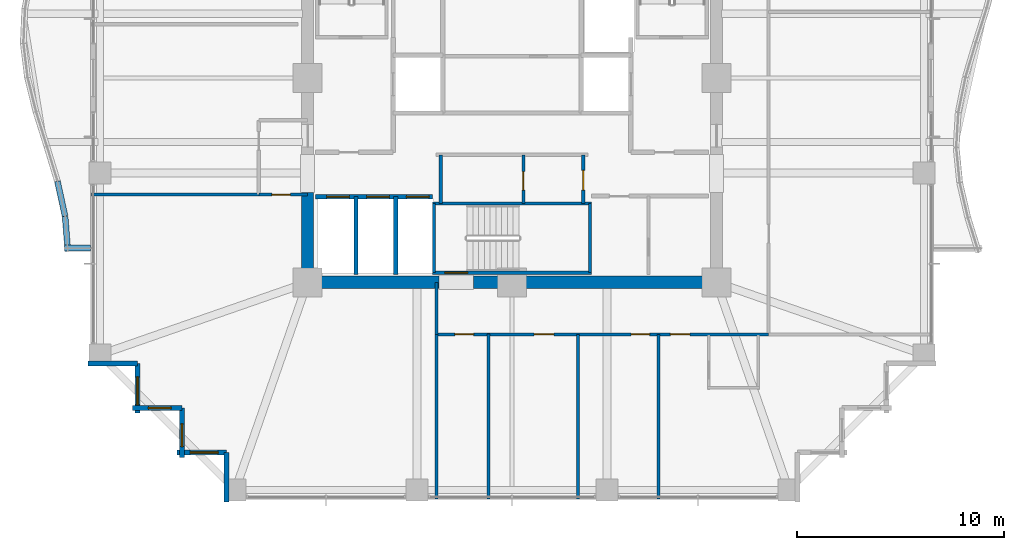
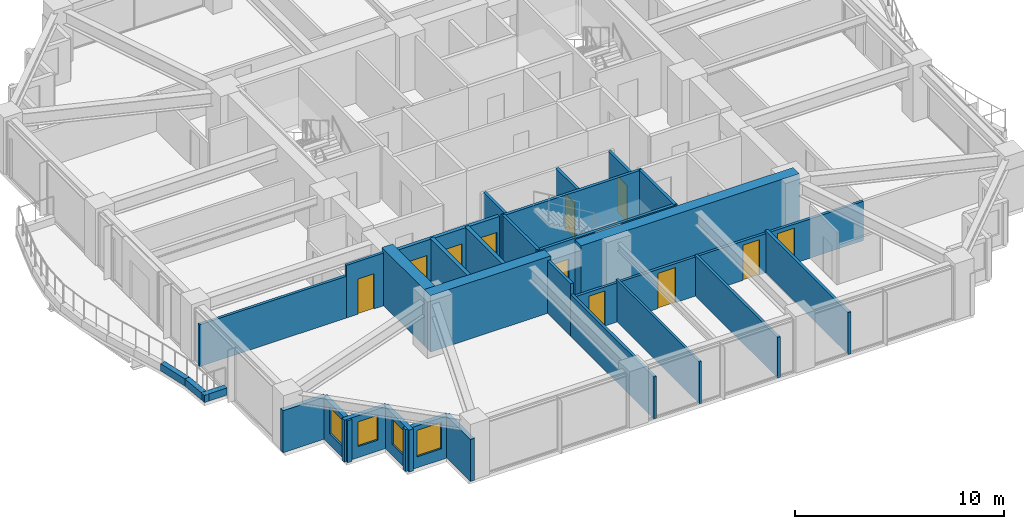
# One storey, part 30 of 36: 30 walls, 11 doors, 4 windows, 15 openings.
"""IFC4 building model written with IfcOpenShell, lengths in metres."""

from ifc_helpers import new_model, si_unit, direction, frame, frame_2d, origin, place, context, subcontext, project, spatial, rectangle, extrude, material, layer, layer_set, type_object, element, fill, save


model = new_model("IFC4")

# Units and contexts
model_context = context("Model", 3, precision=1e-05, world=origin(), true_north=direction((0.0, 1.0)))
body_context = subcontext(model_context, "Body", "Model", "MODEL_VIEW")
ifc_project = project(units=[si_unit("LENGTHUNIT", "METRE"), si_unit("AREAUNIT", "SQUARE_METRE"), si_unit("VOLUMEUNIT", "CUBIC_METRE"), si_unit("PLANEANGLEUNIT", "RADIAN"), si_unit("MASSUNIT", "GRAM", prefix="KILO")], contexts=[model_context])

# Site, building, storey
site_placement = place(None, origin())
site = spatial("IfcSite", under=ifc_project, at=site_placement, CompositionType="ELEMENT")
building_placement = place(site_placement, origin())
building = spatial("IfcBuilding", under=site, at=building_placement, Name="Kolvaren Belvedere", CompositionType="ELEMENT")
storey_placement = place(building_placement, frame((0.0, 0.0, 95.300048828125)))
storey = spatial("IfcBuildingStorey", under=building, at=storey_placement, Name="L27", CompositionType="ELEMENT", Elevation=95.300048828125)

# Walls
ifc_material_1 = material(Name="Concrete C60/75", Category="concrete")
ifc_layer_1 = layer(ifc_material_1, 0.60009765625)
ifc_layer_set_1 = layer_set([ifc_layer_1], Name="Concrete C60/75")
wall_type_1 = type_object("IfcWallType", Name="CW-CORE-600", PredefinedType="SHEAR", material=ifc_layer_set_1)
wall_1_placement = place(storey_placement, frame((10.199951171875, -9.89990234375, 0.0), z_axis=(0.0, 0.0, 1.0), x_axis=(-1.0, 0.0, 0.0)))
element("IfcWall", 1, at=wall_1_placement, inside=storey, type_object=wall_type_1, Name="L27 South Core Shear Wall 1", PredefinedType="SHEAR", context=body_context, shape_type="SweptSolid", body=[
    extrude(rectangle(XDim=12.06005859375, YDim=0.60009765625, at=frame_2d((6.030029296875, 0.0))), origin(), (0.0, 0.0, 1.0), 3.300048828125),
])
wall_2_placement = place(storey_placement, frame((-3.5400390625, -9.89990234375, 0.0), z_axis=(0.0, 0.0, 1.0), x_axis=(-1.0, 0.0, 0.0)))
element("IfcWall", 2, at=wall_2_placement, inside=storey, type_object=wall_type_1, Name="L27 South Core Shear Wall 2", PredefinedType="SHEAR", context=body_context, shape_type="SweptSolid", body=[
    extrude(rectangle(XDim=6.659912109375, YDim=0.60009765625, at=frame_2d((3.330078125, 0.0))), origin(), (0.0, 0.0, 1.0), 3.300048828125),
])
wall_3_placement = place(storey_placement, frame((-9.89990234375, -9.60009765625, 0.0), z_axis=(0.0, 0.0, 1.0), x_axis=(0.0, 1.0, 0.0)))
element("IfcWall", 3, at=wall_3_placement, inside=storey, type_object=wall_type_1, Name="L27 West Core Shear Wall 1", PredefinedType="SHEAR", context=body_context, shape_type="SweptSolid", body=[
    extrude(rectangle(XDim=4.050048828125, YDim=0.60009765625, at=frame_2d((2.02490234375, 0.0))), origin(), (0.0, 0.0, 1.0), 3.300048828125),
])

# Wall, opening, door
ifc_material_2 = material(Name="Concrete C50/60", Category="concrete")
ifc_layer_2 = layer(ifc_material_2, 0.159912109375)
ifc_layer_set_2 = layer_set([ifc_layer_2], Name="Concrete C50/60")
wall_type_2 = type_object("IfcWallType", Name="CW-STAIR-160", PredefinedType="SHEAR", material=ifc_layer_set_2)
wall_4_placement = place(storey_placement, frame((3.860107421875, -9.429931640625, 0.0), z_axis=(0.0, 0.0, 1.0), x_axis=(-1.0, 0.0, 0.0)))
wall_4 = element("IfcWall", 4, at=wall_4_placement, inside=storey, type_object=wall_type_2, Name="L27 Stair ST-3 South Shear Wall", PredefinedType="SHEAR", context=body_context, shape_type="SweptSolid", body=[
    extrude(rectangle(XDim=7.72021484375, YDim=0.159912109375, at=frame_2d((3.860107421875, 0.0))), origin(), (0.0, 0.0, 1.0), 3.300048828125),
])
opening_1_placement = place(wall_4_placement, frame((6.010009765625, 0.0, 0.0)))
opening_1 = element("IfcOpeningElement", 5, at=opening_1_placement, cuts=wall_4, Name="Opening D-FD90", PredefinedType="OPENING", context=body_context, shape_type="SweptSolid", body=[
    extrude(rectangle(XDim=1.10009765625, YDim=2.199951171875, at=frame_2d((0.550048828125, 1.10009765625))), frame((0.0, 0.08984375, 0.0), z_axis=(0.0, -1.0, 0.0), x_axis=(1.0, 0.0, 0.0)), (0.0, 0.0, 1.0), 0.179931640625),
])
ifc_material_3 = material(Name="Painted hollow stainless steel", Category="steel")
door_type_1 = type_object("IfcDoorType", Name="DR-FD90-1100", OperationType="NOTDEFINED", PredefinedType="DOOR", material=ifc_material_3)
door_1_placement = place(opening_1_placement, origin())
door_1 = element("IfcDoor", 6, at=door_1_placement, inside=storey, type_object=door_type_1, Name="L27 Stair ST-3 Exit Door", OperationType="SINGLE_SWING_RIGHT", OverallHeight=2.199951171875, OverallWidth=1.10009765625, PredefinedType="DOOR", context=body_context, shape_type="SweptSolid", body=[
    extrude(rectangle(XDim=1.10009765625, YDim=2.199951171875, at=frame_2d((0.550048828125, 1.10009765625))), frame((0.0, 0.02490234375, 0.0), z_axis=(0.0, -1.0, 0.0), x_axis=(1.0, 0.0, 0.0)), (0.0, 0.0, 1.0), 0.050048828125),
])
fill(opening_1, door_1)

# Walls
wall_5_placement = place(storey_placement, frame((-3.860107421875, -6.080078125, 0.0), z_axis=(0.0, 0.0, 1.0), x_axis=(1.0, 0.0, 0.0)))
element("IfcWall", 7, at=wall_5_placement, inside=storey, type_object=wall_type_2, Name="L27 Stair ST-3 North Shear Wall", PredefinedType="SHEAR", context=body_context, shape_type="SweptSolid", body=[
    extrude(rectangle(XDim=7.72021484375, YDim=0.159912109375, at=frame_2d((3.860107421875, 0.0))), origin(), (0.0, 0.0, 1.0), 3.300048828125),
])
for number, where, z_axis, x_axis, name in (
    (8, (-3.780029296875, -9.429931640625, 0.0), (0.0, 0.0, 1.0), (0.0, 1.0, 0.0), "L27 Stair ST-3 West Shear Wall"),
    (9, (3.780029296875, -9.429931640625, 0.0), (0.0, 0.0, 1.0), (0.0, 1.0, 0.0), "L27 Stair ST-3 East Shear Wall"),
):
    element("IfcWall", number, at=place(storey_placement, frame(where, z_axis=z_axis, x_axis=x_axis)), inside=storey, type_object=wall_type_2, Name=name, PredefinedType="SHEAR", context=body_context, shape_type="SweptSolid", body=[
        extrude(rectangle(XDim=3.349853515625, YDim=0.159912109375, at=frame_2d((1.6748046875, 0.0))), origin(), (0.0, 0.0, 1.0), 3.300048828125),
    ])

# Wall, openings, doors
ifc_material_4 = material(Name="Gypsum fire-rated partition assembly", Category="gypsum")
ifc_layer_3 = layer(ifc_material_4, 0.14990234375)
ifc_layer_set_3 = layer_set([ifc_layer_3], Name="Gypsum fire-rated partition assembly")
wall_type_3 = type_object("IfcWallType", Name="WL-CORR-150", PredefinedType="PARTITIONING", material=ifc_layer_set_3)
wall_6_placement = place(storey_placement, frame((-3.64990234375, -12.419921875, 0.0), z_axis=(0.0, 0.0, 1.0), x_axis=(1.0, 0.0, 0.0)))
wall_6 = element("IfcWall", 10, at=wall_6_placement, inside=storey, type_object=wall_type_3, Name="L27 South-East Corridor Wall", PredefinedType="PARTITIONING", context=body_context, shape_type="SweptSolid", body=[
    extrude(rectangle(XDim=16.06982421875, YDim=0.14990234375, at=frame_2d((8.034912109375, 0.0))), origin(), (0.0, 0.0, 1.0), 2.2919921875),
])
opening_2_placement = place(wall_6_placement, frame((0.88916015625, 0.0, 0.0)))
opening_2 = element("IfcOpeningElement", 11, at=opening_2_placement, cuts=wall_6, Name="Opening D-INT90", PredefinedType="OPENING", context=body_context, shape_type="SweptSolid", body=[
    extrude(rectangle(XDim=0.89990234375, YDim=2.06005859375, at=frame_2d((0.449951171875, 1.030029296875))), frame((0.0, 0.0849609375, 0.0), z_axis=(0.0, -1.0, 0.0), x_axis=(1.0, 0.0, 0.0)), (0.0, 0.0, 1.0), 0.169921875),
])
opening_3_placement = place(wall_6_placement, frame((4.7216796875, 0.0, 0.0)))
opening_3 = element("IfcOpeningElement", 12, at=opening_3_placement, cuts=wall_6, Name="Opening D-INT95", PredefinedType="OPENING", context=body_context, shape_type="SweptSolid", body=[
    extrude(rectangle(XDim=0.949951171875, YDim=2.06005859375, at=frame_2d((0.47509765625, 1.030029296875))), frame((0.0, 0.0849609375, 0.0), z_axis=(0.0, -1.0, 0.0), x_axis=(1.0, 0.0, 0.0)), (0.0, 0.0, 1.0), 0.169921875),
])
opening_4_placement = place(wall_6_placement, frame((9.415283203125, 0.0, 0.0)))
opening_4 = element("IfcOpeningElement", 13, at=opening_4_placement, cuts=wall_6, Name="Opening D-INT90", PredefinedType="OPENING", context=body_context, shape_type="SweptSolid", body=[
    extrude(rectangle(XDim=0.89990234375, YDim=2.06005859375, at=frame_2d((0.449951171875, 1.030029296875))), frame((0.0, 0.0849609375, 0.0), z_axis=(0.0, -1.0, 0.0), x_axis=(1.0, 0.0, 0.0)), (0.0, 0.0, 1.0), 0.169921875),
])
opening_5_placement = place(wall_6_placement, frame((11.31298828125, 0.0, 0.0)))
opening_5 = element("IfcOpeningElement", 14, at=opening_5_placement, cuts=wall_6, Name="Opening D-FD60", PredefinedType="OPENING", context=body_context, shape_type="SweptSolid", body=[
    extrude(rectangle(XDim=0.949951171875, YDim=2.06005859375, at=frame_2d((0.47509765625, 1.030029296875))), frame((0.0, 0.0849609375, 0.0), z_axis=(0.0, -1.0, 0.0), x_axis=(1.0, 0.0, 0.0)), (0.0, 0.0, 1.0), 0.169921875),
])
ifc_material_5 = material(Name="Acoustic white-oak fire door leaf", Category="timber")
door_type_2 = type_object("IfcDoorType", Name="DR-FD60-950", OperationType="NOTDEFINED", PredefinedType="DOOR", material=ifc_material_5)
door_2_placement = place(opening_5_placement, origin())
door_2 = element("IfcDoor", 15, at=door_2_placement, inside=storey, type_object=door_type_2, Name="L27 Panoramic Corner Hospitality Suite 2709 Entry Door", OperationType="SINGLE_SWING_LEFT", OverallHeight=2.06005859375, OverallWidth=0.949951171875, PredefinedType="DOOR", context=body_context, shape_type="SweptSolid", body=[
    extrude(rectangle(XDim=0.949951171875, YDim=2.06005859375, at=frame_2d((0.47509765625, 1.030029296875))), frame((0.0, 0.02490234375, 0.0), z_axis=(0.0, -1.0, 0.0), x_axis=(1.0, 0.0, 0.0)), (0.0, 0.0, 1.0), 0.050048828125),
])
fill(opening_5, door_2)
ifc_material_6 = material(Name="Stained Pacific white oak", Category="timber")
door_type_3 = type_object("IfcDoorType", Name="DR-INT-900", OperationType="NOTDEFINED", PredefinedType="DOOR", material=ifc_material_6)
door_3_placement = place(opening_2_placement, origin())
door_3 = element("IfcDoor", 16, at=door_3_placement, inside=storey, type_object=door_type_3, Name="L27 Housekeeping Door", OperationType="SINGLE_SWING_LEFT", OverallHeight=2.06005859375, OverallWidth=0.89990234375, PredefinedType="DOOR", context=body_context, shape_type="SweptSolid", body=[
    extrude(rectangle(XDim=0.89990234375, YDim=2.06005859375, at=frame_2d((0.449951171875, 1.030029296875))), frame((0.0, 0.02490234375, 0.0), z_axis=(0.0, -1.0, 0.0), x_axis=(1.0, 0.0, 0.0)), (0.0, 0.0, 1.0), 0.050048828125),
])
fill(opening_2, door_3)
door_4_placement = place(opening_4_placement, origin())
door_4 = element("IfcDoor", 17, at=door_4_placement, inside=storey, type_object=door_type_3, Name="L27 Lounge 2708 Door", OperationType="SINGLE_SWING_LEFT", OverallHeight=2.06005859375, OverallWidth=0.89990234375, PredefinedType="DOOR", context=body_context, shape_type="SweptSolid", body=[
    extrude(rectangle(XDim=0.89990234375, YDim=2.06005859375, at=frame_2d((0.449951171875, 1.030029296875))), frame((0.0, 0.02490234375, 0.0), z_axis=(0.0, -1.0, 0.0), x_axis=(1.0, 0.0, 0.0)), (0.0, 0.0, 1.0), 0.050048828125),
])
fill(opening_4, door_4)
ifc_material_7 = material(Name="Stained Pacific white oak", Category="timber")
door_type_4 = type_object("IfcDoorType", Name="DR-INT-950", OperationType="NOTDEFINED", PredefinedType="DOOR", material=ifc_material_7)
door_5_placement = place(opening_3_placement, origin())
door_5 = element("IfcDoor", 18, at=door_5_placement, inside=storey, type_object=door_type_4, Name="L27 Accessible Washroom Door", OperationType="SINGLE_SWING_RIGHT", OverallHeight=2.06005859375, OverallWidth=0.949951171875, PredefinedType="DOOR", context=body_context, shape_type="SweptSolid", body=[
    extrude(rectangle(XDim=0.949951171875, YDim=2.06005859375, at=frame_2d((0.47509765625, 1.030029296875))), frame((0.0, 0.02490234375, 0.0), z_axis=(0.0, -1.0, 0.0), x_axis=(1.0, 0.0, 0.0)), (0.0, 0.0, 1.0), 0.050048828125),
])
fill(opening_3, door_5)

# Wall
wall_7_placement = place(storey_placement, frame((-3.64990234375, -12.419921875, 0.0), z_axis=(0.0, 0.0, 1.0), x_axis=(0.0, 1.0, 0.0)))
element("IfcWall", 19, at=wall_7_placement, inside=storey, type_object=wall_type_3, Name="L27 South Spur West Closure Wall", PredefinedType="PARTITIONING", context=body_context, shape_type="SweptSolid", body=[
    extrude(rectangle(XDim=2.52001953125, YDim=0.14990234375, at=frame_2d((1.260009765625, 0.0))), origin(), (0.0, 0.0, 1.0), 3.079833984375),
])

# Wall, opening, door
wall_8_placement = place(storey_placement, frame((-12.260009765625, -5.64990234375, 0.0), z_axis=(0.0, 0.0, 1.0), x_axis=(1.0, 0.0, 0.0)))
wall_8 = element("IfcWall", 20, at=wall_8_placement, inside=storey, type_object=wall_type_3, Name="L27 West Pocket South Closure Wall", PredefinedType="PARTITIONING", context=body_context, shape_type="SweptSolid", body=[
    extrude(rectangle(XDim=2.360107421875, YDim=0.14990234375, at=frame_2d((1.18017578125, 0.0))), origin(), (0.0, 0.0, 1.0), 3.079833984375),
])
opening_6_placement = place(wall_8_placement, frame((0.631591796875, 0.0, 0.0)))
opening_6 = element("IfcOpeningElement", 21, at=opening_6_placement, cuts=wall_8, Name="Opening D-INT90", PredefinedType="OPENING", context=body_context, shape_type="SweptSolid", body=[
    extrude(rectangle(XDim=0.89990234375, YDim=2.06005859375, at=frame_2d((0.449951171875, 1.030029296875))), frame((0.0, 0.0849609375, 0.0), z_axis=(0.0, -1.0, 0.0), x_axis=(1.0, 0.0, 0.0)), (0.0, 0.0, 1.0), 0.169921875),
])
door_6_placement = place(opening_6_placement, origin())
door_6 = element("IfcDoor", 22, at=door_6_placement, inside=storey, type_object=door_type_3, Name="L27 Lounge 2707 Door", OperationType="SINGLE_SWING_RIGHT", OverallHeight=2.06005859375, OverallWidth=0.89990234375, PredefinedType="DOOR", context=body_context, shape_type="SweptSolid", body=[
    extrude(rectangle(XDim=0.89990234375, YDim=2.06005859375, at=frame_2d((0.449951171875, 1.030029296875))), frame((0.0, 0.02490234375, 0.0), z_axis=(0.0, -1.0, 0.0), x_axis=(1.0, 0.0, 0.0)), (0.0, 0.0, 1.0), 0.050048828125),
])
fill(opening_6, door_6)

# Wall
ifc_material_8 = material(Name="Insulated pale-metal facade wall assembly", Category="aluminium")
ifc_layer_4 = layer(ifc_material_8, 0.239990234375)
ifc_layer_set_4 = layer_set([ifc_layer_4], Name="Insulated pale-metal facade wall assembly")
wall_type_4 = type_object("IfcWallType", Name="WL-EXT-240", PredefinedType="STANDARD", material=ifc_layer_set_4)
wall_9_placement = place(storey_placement, frame((-18.1298828125, -13.830078125, 0.0), z_axis=(0.0, 0.0, 1.0), x_axis=(-1.0, 0.0, 0.0)))
element("IfcWall", 23, at=wall_9_placement, inside=storey, type_object=wall_type_4, Name="L27 Serrated Corner Facade Wall 23", PredefinedType="STANDARD", context=body_context, shape_type="SweptSolid", body=[
    extrude(rectangle(XDim=2.39013671875, YDim=0.239990234375, at=frame_2d((1.195068359375, 0.0))), origin(), (0.0, 0.0, 1.0), 2.458984375),
])

# Wall, opening, window
wall_10_placement = place(storey_placement, frame((-18.1298828125, -16.219970703125, 0.0), z_axis=(0.0, 0.0, 1.0), x_axis=(0.0, 1.0, 0.0)))
wall_10 = element("IfcWall", 24, at=wall_10_placement, inside=storey, type_object=wall_type_4, Name="L27 Serrated Corner Facade Wall 24", PredefinedType="STANDARD", context=body_context, shape_type="SweptSolid", body=[
    extrude(rectangle(XDim=2.389892578125, YDim=0.239990234375, at=frame_2d((1.19482421875, 0.0))), origin(), (0.0, 0.0, 1.0), 2.458984375),
])
opening_7_placement = place(wall_10_placement, frame((0.39990234375, 0.0, 0.64990234375)))
opening_7 = element("IfcOpeningElement", 25, at=opening_7_placement, cuts=wall_10, Name="Opening W-1350", PredefinedType="OPENING", context=body_context, shape_type="SweptSolid", body=[
    extrude(rectangle(XDim=1.35009765625, YDim=1.550048828125, at=frame_2d((0.675048828125, 0.77490234375))), frame((0.0, 0.1298828125, 0.0), z_axis=(0.0, -1.0, 0.0), x_axis=(1.0, 0.0, 0.0)), (0.0, 0.0, 1.0), 0.260009765625),
])
ifc_material_9 = material(Name="Low-iron triple insulated glass", Category="glass")
window_type_1 = type_object("IfcWindowType", Name="WN-CORN-1350", PartitioningType="SINGLE_PANEL", PredefinedType="WINDOW", material=ifc_material_9)
window_1_placement = place(opening_7_placement, origin())
window_1 = element("IfcWindow", 26, at=window_1_placement, inside=storey, type_object=window_type_1, Name="L27 Serrated Corner Vision Window 24", OverallHeight=1.550048828125, OverallWidth=1.35009765625, PartitioningType="SINGLE_PANEL", PredefinedType="WINDOW", context=body_context, shape_type="SweptSolid", body=[
    extrude(rectangle(XDim=1.35009765625, YDim=1.550048828125, at=frame_2d((0.675048828125, 0.77490234375))), frame((0.0, 0.030029296875, 0.0), z_axis=(0.0, -1.0, 0.0), x_axis=(1.0, 0.0, 0.0)), (0.0, 0.0, 1.0), 0.06005859375),
])
fill(opening_7, window_1)

wall_11_placement = place(storey_placement, frame((-15.97998046875, -15.97998046875, 0.0), z_axis=(0.0, 0.0, 1.0), x_axis=(-1.0, 0.0, 0.0)))
wall_11 = element("IfcWall", 27, at=wall_11_placement, inside=storey, type_object=wall_type_4, Name="L27 Serrated Corner Facade Wall 25", PredefinedType="STANDARD", context=body_context, shape_type="SweptSolid", body=[
    extrude(rectangle(XDim=2.39013671875, YDim=0.239990234375, at=frame_2d((1.195068359375, 0.0))), origin(), (0.0, 0.0, 1.0), 2.458984375),
])
opening_8_placement = place(wall_11_placement, frame((0.52490234375, 0.0, 0.64990234375)))
opening_8 = element("IfcOpeningElement", 28, at=opening_8_placement, cuts=wall_11, Name="Opening W-1100", PredefinedType="OPENING", context=body_context, shape_type="SweptSolid", body=[
    extrude(rectangle(XDim=1.10009765625, YDim=1.449951171875, at=frame_2d((0.550048828125, 0.72509765625))), frame((0.0, 0.1298828125, 0.0), z_axis=(0.0, -1.0, 0.0), x_axis=(1.0, 0.0, 0.0)), (0.0, 0.0, 1.0), 0.260009765625),
])
ifc_material_10 = material(Name="Low-iron triple insulated glass", Category="glass")
window_type_2 = type_object("IfcWindowType", Name="WN-CORN-1100", PartitioningType="SINGLE_PANEL", PredefinedType="WINDOW", material=ifc_material_10)
window_2_placement = place(opening_8_placement, origin())
window_2 = element("IfcWindow", 29, at=window_2_placement, inside=storey, type_object=window_type_2, Name="L27 Serrated Corner Vision Window 25", OverallHeight=1.449951171875, OverallWidth=1.10009765625, PartitioningType="SINGLE_PANEL", PredefinedType="WINDOW", context=body_context, shape_type="SweptSolid", body=[
    extrude(rectangle(XDim=1.10009765625, YDim=1.449951171875, at=frame_2d((0.550048828125, 0.72509765625))), frame((0.0, 0.030029296875, 0.0), z_axis=(0.0, -1.0, 0.0), x_axis=(1.0, 0.0, 0.0)), (0.0, 0.0, 1.0), 0.06005859375),
])
fill(opening_8, window_2)

wall_12_placement = place(storey_placement, frame((-15.97998046875, -18.3701171875, 0.0), z_axis=(0.0, 0.0, 1.0), x_axis=(0.0, 1.0, 0.0)))
wall_12 = element("IfcWall", 30, at=wall_12_placement, inside=storey, type_object=wall_type_4, Name="L27 Serrated Corner Facade Wall 26", PredefinedType="STANDARD", context=body_context, shape_type="SweptSolid", body=[
    extrude(rectangle(XDim=2.39013671875, YDim=0.239990234375, at=frame_2d((1.195068359375, 0.0))), origin(), (0.0, 0.0, 1.0), 2.458984375),
])
opening_9_placement = place(wall_12_placement, frame((0.52490234375, 0.0, 0.64990234375)))
opening_9 = element("IfcOpeningElement", 31, at=opening_9_placement, cuts=wall_12, Name="Opening W-1100", PredefinedType="OPENING", context=body_context, shape_type="SweptSolid", body=[
    extrude(rectangle(XDim=1.10009765625, YDim=1.449951171875, at=frame_2d((0.550048828125, 0.72509765625))), frame((0.0, 0.1298828125, 0.0), z_axis=(0.0, -1.0, 0.0), x_axis=(1.0, 0.0, 0.0)), (0.0, 0.0, 1.0), 0.260009765625),
])
window_3_placement = place(opening_9_placement, origin())
window_3 = element("IfcWindow", 32, at=window_3_placement, inside=storey, type_object=window_type_2, Name="L27 Serrated Corner Vision Window 26", OverallHeight=1.449951171875, OverallWidth=1.10009765625, PartitioningType="SINGLE_PANEL", PredefinedType="WINDOW", context=body_context, shape_type="SweptSolid", body=[
    extrude(rectangle(XDim=1.10009765625, YDim=1.449951171875, at=frame_2d((0.550048828125, 0.72509765625))), frame((0.0, 0.030029296875, 0.0), z_axis=(0.0, -1.0, 0.0), x_axis=(1.0, 0.0, 0.0)), (0.0, 0.0, 1.0), 0.06005859375),
])
fill(opening_9, window_3)

wall_13_placement = place(storey_placement, frame((-13.830078125, -18.1298828125, 0.0), z_axis=(0.0, 0.0, 1.0), x_axis=(-1.0, 0.0, 0.0)))
wall_13 = element("IfcWall", 33, at=wall_13_placement, inside=storey, type_object=wall_type_4, Name="L27 Serrated Corner Facade Wall 27", PredefinedType="STANDARD", context=body_context, shape_type="SweptSolid", body=[
    extrude(rectangle(XDim=2.389892578125, YDim=0.239990234375, at=frame_2d((1.19482421875, 0.0))), origin(), (0.0, 0.0, 1.0), 2.458984375),
])
opening_10_placement = place(wall_13_placement, frame((0.39990234375, 0.0, 0.64990234375)))
opening_10 = element("IfcOpeningElement", 34, at=opening_10_placement, cuts=wall_13, Name="Opening W-1350", PredefinedType="OPENING", context=body_context, shape_type="SweptSolid", body=[
    extrude(rectangle(XDim=1.35009765625, YDim=1.550048828125, at=frame_2d((0.675048828125, 0.77490234375))), frame((0.0, 0.1298828125, 0.0), z_axis=(0.0, -1.0, 0.0), x_axis=(1.0, 0.0, 0.0)), (0.0, 0.0, 1.0), 0.260009765625),
])
window_4_placement = place(opening_10_placement, origin())
window_4 = element("IfcWindow", 35, at=window_4_placement, inside=storey, type_object=window_type_1, Name="L27 Serrated Corner Vision Window 27", OverallHeight=1.550048828125, OverallWidth=1.35009765625, PartitioningType="SINGLE_PANEL", PredefinedType="WINDOW", context=body_context, shape_type="SweptSolid", body=[
    extrude(rectangle(XDim=1.35009765625, YDim=1.550048828125, at=frame_2d((0.675048828125, 0.77490234375))), frame((0.0, 0.030029296875, 0.0), z_axis=(0.0, -1.0, 0.0), x_axis=(1.0, 0.0, 0.0)), (0.0, 0.0, 1.0), 0.06005859375),
])
fill(opening_10, window_4)

# Wall
wall_14_placement = place(storey_placement, frame((-13.830078125, -20.52001953125, 0.0), z_axis=(0.0, 0.0, 1.0), x_axis=(0.0, 1.0, 0.0)))
element("IfcWall", 36, at=wall_14_placement, inside=storey, type_object=wall_type_4, Name="L27 Serrated Corner Facade Wall 28", PredefinedType="STANDARD", context=body_context, shape_type="SweptSolid", body=[
    extrude(rectangle(XDim=2.39013671875, YDim=0.239990234375, at=frame_2d((1.195068359375, 0.0))), origin(), (0.0, 0.0, 1.0), 2.458984375),
])

# Wall, opening, door
ifc_material_11 = material(Name="Gypsum acoustic partition assembly", Category="gypsum")
ifc_layer_5 = layer(ifc_material_11, 0.14990234375)
ifc_layer_set_5 = layer_set([ifc_layer_5], Name="Gypsum acoustic partition assembly")
wall_type_5 = type_object("IfcWallType", Name="WL-PART-150", PredefinedType="PARTITIONING", material=ifc_layer_set_5)
wall_15_placement = place(storey_placement, frame((3.449951171875, -6.080078125, 0.0), z_axis=(0.0, 0.0, 1.0), x_axis=(0.0, 1.0, 0.0)))
wall_15 = element("IfcWall", 37, at=wall_15_placement, inside=storey, type_object=wall_type_5, Name="L27 South Core Service East Wall", PredefinedType="PARTITIONING", context=body_context, shape_type="SweptSolid", body=[
    extrude(rectangle(XDim=2.360107421875, YDim=0.14990234375, at=frame_2d((1.18017578125, 0.0))), origin(), (0.0, 0.0, 1.0), 3.079833984375),
])
opening_11_placement = place(wall_15_placement, frame((0.64990234375, 0.0, 0.0)))
opening_11 = element("IfcOpeningElement", 38, at=opening_11_placement, cuts=wall_15, Name="Opening D-FD60", PredefinedType="OPENING", context=body_context, shape_type="SweptSolid", body=[
    extrude(rectangle(XDim=0.949951171875, YDim=2.06005859375, at=frame_2d((0.47509765625, 1.030029296875))), frame((0.0, 0.0849609375, 0.0), z_axis=(0.0, -1.0, 0.0), x_axis=(1.0, 0.0, 0.0)), (0.0, 0.0, 1.0), 0.169921875),
])
door_7_placement = place(opening_11_placement, origin())
door_7 = element("IfcDoor", 39, at=door_7_placement, inside=storey, type_object=door_type_2, Name="L27 Core Service Room Door", OperationType="SINGLE_SWING_LEFT", OverallHeight=2.06005859375, OverallWidth=0.949951171875, PredefinedType="DOOR", context=body_context, shape_type="SweptSolid", body=[
    extrude(rectangle(XDim=0.949951171875, YDim=2.06005859375, at=frame_2d((0.47509765625, 1.030029296875))), frame((0.0, 0.02490234375, 0.0), z_axis=(0.0, -1.0, 0.0), x_axis=(1.0, 0.0, 0.0)), (0.0, 0.0, 1.0), 0.050048828125),
])
fill(opening_11, door_7)

# Wall
wall_16_placement = place(storey_placement, frame((-3.449951171875, -6.080078125, 0.0), z_axis=(0.0, 0.0, 1.0), x_axis=(0.0, 1.0, 0.0)))
element("IfcWall", 40, at=wall_16_placement, inside=storey, type_object=wall_type_5, Name="L27 South Core Service West Wall", PredefinedType="PARTITIONING", context=body_context, shape_type="SweptSolid", body=[
    extrude(rectangle(XDim=2.360107421875, YDim=0.14990234375, at=frame_2d((1.18017578125, 0.0))), origin(), (0.0, 0.0, 1.0), 3.079833984375),
])

# Wall, opening, door
wall_17_placement = place(storey_placement, frame((0.550048828125, -6.080078125, 0.0), z_axis=(0.0, 0.0, 1.0), x_axis=(0.0, 1.0, 0.0)))
wall_17 = element("IfcWall", 41, at=wall_17_placement, inside=storey, type_object=wall_type_5, Name="L27 Core Service Divider", PredefinedType="PARTITIONING", context=body_context, shape_type="SweptSolid", body=[
    extrude(rectangle(XDim=2.360107421875, YDim=0.14990234375, at=frame_2d((1.18017578125, 0.0))), origin(), (0.0, 0.0, 1.0), 3.079833984375),
])
opening_12_placement = place(wall_17_placement, frame((0.64990234375, 0.0, 0.0)))
opening_12 = element("IfcOpeningElement", 42, at=opening_12_placement, cuts=wall_17, Name="Opening D-INT90", PredefinedType="OPENING", context=body_context, shape_type="SweptSolid", body=[
    extrude(rectangle(XDim=0.89990234375, YDim=2.06005859375, at=frame_2d((0.449951171875, 1.030029296875))), frame((0.0, 0.0849609375, 0.0), z_axis=(0.0, -1.0, 0.0), x_axis=(1.0, 0.0, 0.0)), (0.0, 0.0, 1.0), 0.169921875),
])
door_8_placement = place(opening_12_placement, origin())
door_8 = element("IfcDoor", 43, at=door_8_placement, inside=storey, type_object=door_type_3, Name="L27 BMS Inner Door", OperationType="SINGLE_SWING_LEFT", OverallHeight=2.06005859375, OverallWidth=0.89990234375, PredefinedType="DOOR", context=body_context, shape_type="SweptSolid", body=[
    extrude(rectangle(XDim=0.89990234375, YDim=2.06005859375, at=frame_2d((0.449951171875, 1.030029296875))), frame((0.0, 0.02490234375, 0.0), z_axis=(0.0, -1.0, 0.0), x_axis=(1.0, 0.0, 0.0)), (0.0, 0.0, 1.0), 0.050048828125),
])
fill(opening_12, door_8)

# Walls
wall_18_placement = place(storey_placement, frame((-20.3798828125, -5.64990234375, 0.0), z_axis=(0.0, 0.0, 1.0), x_axis=(1.0, 0.0, 0.0)))
element("IfcWall", 44, at=wall_18_placement, inside=storey, type_object=wall_type_5, Name="L27 West Mid Suite South Wall", PredefinedType="PARTITIONING", context=body_context, shape_type="SweptSolid", body=[
    extrude(rectangle(XDim=8.119873046875, YDim=0.14990234375, at=frame_2d((4.06005859375, 0.0))), origin(), (0.0, 0.0, 1.0), 2.448974609375),
])
wall_19_placement = place(storey_placement, frame((-3.64990234375, -20.3798828125, 0.0), z_axis=(0.0, 0.0, 1.0), x_axis=(0.0, 1.0, 0.0)))
element("IfcWall", 45, at=wall_19_placement, inside=storey, type_object=wall_type_5, Name="L27 South Mid-West Wall", PredefinedType="PARTITIONING", context=body_context, shape_type="SweptSolid", body=[
    extrude(rectangle(XDim=7.9599609375, YDim=0.14990234375, at=frame_2d((3.97998046875, 0.0))), origin(), (0.0, 0.0, 1.0), 2.448974609375),
])
wall_20_placement = place(storey_placement, frame((3.199951171875, -20.3798828125, 0.0), z_axis=(0.0, 0.0, 1.0), x_axis=(0.0, 1.0, 0.0)))
element("IfcWall", 46, at=wall_20_placement, inside=storey, type_object=wall_type_5, Name="L27 South-East Suite Divider 1", PredefinedType="PARTITIONING", context=body_context, shape_type="SweptSolid", body=[
    extrude(rectangle(XDim=7.9599609375, YDim=0.14990234375, at=frame_2d((3.97998046875, 0.0))), origin(), (0.0, 0.0, 1.0), 2.368896484375),
])
wall_21_placement = place(storey_placement, frame((7.10009765625, -20.3798828125, 0.0), z_axis=(0.0, 0.0, 1.0), x_axis=(0.0, 1.0, 0.0)))
element("IfcWall", 47, at=wall_21_placement, inside=storey, type_object=wall_type_5, Name="L27 South-East Suite Divider 2", PredefinedType="PARTITIONING", context=body_context, shape_type="SweptSolid", body=[
    extrude(rectangle(XDim=7.9599609375, YDim=0.14990234375, at=frame_2d((3.97998046875, 0.0))), origin(), (0.0, 0.0, 1.0), 2.448974609375),
])
ifc_material_12 = material(Name="Precast concrete C40/50", Category="concrete")
ifc_layer_6 = layer(ifc_material_12, 0.300048828125)
ifc_layer_set_6 = layer_set([ifc_layer_6], Name="Precast concrete C40/50")
wall_type_6 = type_object("IfcWallType", Name="WL-PLANTER-300", PredefinedType="PARAPET", material=ifc_layer_set_6)
wall_22_placement = place(storey_placement, frame((-22.0048828125, -5.005859375, -0.0400390625), z_axis=(0.0, 0.0, 1.0), x_axis=(0.213802724545, -0.976876857632, 0.0)))
element("IfcWall", 48, at=wall_22_placement, inside=storey, type_object=wall_type_6, Name="L27 Precast Structural Planter Wall BAL-W-9", PredefinedType="PARAPET", context=body_context, shape_type="SweptSolid", body=[
    extrude(rectangle(XDim=1.7197265625, YDim=0.280029296875, at=frame_2d((0.85986328125, 0.0))), origin(), (0.0, 0.0, 1.0), 0.419921875),
])
wall_23_placement = place(storey_placement, frame((-21.634033203125, -6.707275390625, -0.0400390625), z_axis=(0.0, 0.0, 1.0), x_axis=(0.079244268248, -0.99685522818, 0.0)))
element("IfcWall", 49, at=wall_23_placement, inside=storey, type_object=wall_type_6, Name="L27 Precast Structural Planter Wall BAL-W-10", PredefinedType="PARAPET", context=body_context, shape_type="SweptSolid", body=[
    extrude(rectangle(XDim=1.685302734375, YDim=0.280029296875, at=frame_2d((0.8427734375, 0.0))), origin(), (0.0, 0.0, 1.0), 0.419921875),
])
wall_24_placement = place(storey_placement, frame((-21.659912109375, -8.239990234375, -0.0400390625), z_axis=(0.0, 0.0, 1.0), x_axis=(1.0, 0.0, 0.0)))
element("IfcWall", 50, at=wall_24_placement, inside=storey, type_object=wall_type_6, Name="L27 Precast Structural Planter Wall BAL-W-11", PredefinedType="PARAPET", context=body_context, shape_type="SweptSolid", body=[
    extrude(rectangle(XDim=1.260009765625, YDim=0.280029296875, at=frame_2d((0.6298828125, 0.0))), origin(), (0.0, 0.0, 1.0), 0.419921875),
])

# Wall, openings, doors
ifc_material_13 = material(Name="Concrete C50/60", Category="concrete")
ifc_layer_7 = layer(ifc_material_13, 0.199951171875)
ifc_layer_set_7 = layer_set([ifc_layer_7], Name="Concrete C50/60")
wall_type_7 = type_object("IfcWallType", Name="WL-SHAFT-200", PredefinedType="SOLIDWALL", material=ifc_layer_set_7)
wall_25_placement = place(storey_placement, frame((-9.52001953125, -5.75, 0.0), z_axis=(0.0, 0.0, 1.0), x_axis=(1.0, 0.0, 0.0)))
wall_25 = element("IfcWall", 51, at=wall_25_placement, inside=storey, type_object=wall_type_7, Name="L27 Mid-Rise Lift Bank Front Wall", PredefinedType="SOLIDWALL", context=body_context, shape_type="SweptSolid", body=[
    extrude(rectangle(XDim=5.659912109375, YDim=0.199951171875, at=frame_2d((2.830078125, 0.0))), origin(), (0.0, 0.0, 1.0), 3.079833984375),
])
opening_13_placement = place(wall_25_placement, frame((0.550048828125, 0.0, 0.0)))
opening_13 = element("IfcOpeningElement", 52, at=opening_13_placement, cuts=wall_25, Name="Opening LD-11", PredefinedType="OPENING", context=body_context, shape_type="SweptSolid", body=[
    extrude(rectangle(XDim=1.10009765625, YDim=2.199951171875, at=frame_2d((0.550048828125, 1.10009765625))), frame((0.0, 0.10986328125, 0.0), z_axis=(0.0, -1.0, 0.0), x_axis=(1.0, 0.0, 0.0)), (0.0, 0.0, 1.0), 0.219970703125),
])
opening_14_placement = place(wall_25_placement, frame((2.47998046875, 0.0, 0.0)))
opening_14 = element("IfcOpeningElement", 53, at=opening_14_placement, cuts=wall_25, Name="Opening LD-11", PredefinedType="OPENING", context=body_context, shape_type="SweptSolid", body=[
    extrude(rectangle(XDim=1.10009765625, YDim=2.199951171875, at=frame_2d((0.550048828125, 1.10009765625))), frame((0.0, 0.10986328125, 0.0), z_axis=(0.0, -1.0, 0.0), x_axis=(1.0, 0.0, 0.0)), (0.0, 0.0, 1.0), 0.219970703125),
])
opening_15_placement = place(wall_25_placement, frame((4.409912109375, 0.0, 0.0)))
opening_15 = element("IfcOpeningElement", 54, at=opening_15_placement, cuts=wall_25, Name="Opening LD-11", PredefinedType="OPENING", context=body_context, shape_type="SweptSolid", body=[
    extrude(rectangle(XDim=1.10009765625, YDim=2.199951171875, at=frame_2d((0.550048828125, 1.10009765625))), frame((0.0, 0.10986328125, 0.0), z_axis=(0.0, -1.0, 0.0), x_axis=(1.0, 0.0, 0.0)), (0.0, 0.0, 1.0), 0.219970703125),
])
ifc_material_14 = material(Name="Brushed stainless steel", Category="steel")
door_type_5 = type_object("IfcDoorType", Name="DR-LIFT-1100", OperationType="DOUBLE_DOOR_SLIDING", PredefinedType="DOOR", material=ifc_material_14)
door_9_placement = place(opening_13_placement, origin())
door_9 = element("IfcDoor", 55, at=door_9_placement, inside=storey, type_object=door_type_5, Name="L27 Passenger Lift P4 Landing Door", OperationType="DOUBLE_DOOR_SLIDING", OverallHeight=2.199951171875, OverallWidth=1.10009765625, PredefinedType="DOOR", context=body_context, shape_type="SweptSolid", body=[
    extrude(rectangle(XDim=1.10009765625, YDim=2.199951171875, at=frame_2d((0.550048828125, 1.10009765625))), frame((0.0, 0.02490234375, 0.0), z_axis=(0.0, -1.0, 0.0), x_axis=(1.0, 0.0, 0.0)), (0.0, 0.0, 1.0), 0.050048828125),
])
fill(opening_13, door_9)
door_10_placement = place(opening_14_placement, origin())
door_10 = element("IfcDoor", 56, at=door_10_placement, inside=storey, type_object=door_type_5, Name="L27 Passenger Lift P5 Landing Door", OperationType="DOUBLE_DOOR_SLIDING", OverallHeight=2.199951171875, OverallWidth=1.10009765625, PredefinedType="DOOR", context=body_context, shape_type="SweptSolid", body=[
    extrude(rectangle(XDim=1.10009765625, YDim=2.199951171875, at=frame_2d((0.550048828125, 1.10009765625))), frame((0.0, 0.02490234375, 0.0), z_axis=(0.0, -1.0, 0.0), x_axis=(1.0, 0.0, 0.0)), (0.0, 0.0, 1.0), 0.050048828125),
])
fill(opening_14, door_10)
door_11_placement = place(opening_15_placement, origin())
door_11 = element("IfcDoor", 57, at=door_11_placement, inside=storey, type_object=door_type_5, Name="L27 Passenger Lift P6 Landing Door", OperationType="DOUBLE_DOOR_SLIDING", OverallHeight=2.199951171875, OverallWidth=1.10009765625, PredefinedType="DOOR", context=body_context, shape_type="SweptSolid", body=[
    extrude(rectangle(XDim=1.10009765625, YDim=2.199951171875, at=frame_2d((0.550048828125, 1.10009765625))), frame((0.0, 0.02490234375, 0.0), z_axis=(0.0, -1.0, 0.0), x_axis=(1.0, 0.0, 0.0)), (0.0, 0.0, 1.0), 0.050048828125),
])
fill(opening_15, door_11)

# Walls
for number, where, z_axis, x_axis, name in (
    (58, (-7.56005859375, -9.52001953125, 0.0), (0.0, 0.0, 1.0), (0.0, 1.0, 0.0), "L27 Mid-Rise Hoistway Divider 1"),
    (59, (-5.6298828125, -9.52001953125, 0.0), (0.0, 0.0, 1.0), (0.0, 1.0, 0.0), "L27 Mid-Rise Hoistway Divider 2"),
):
    element("IfcWall", number, at=place(storey_placement, frame(where, z_axis=z_axis, x_axis=x_axis)), inside=storey, type_object=wall_type_7, Name=name, PredefinedType="SOLIDWALL", context=body_context, shape_type="SweptSolid", body=[
        extrude(rectangle(XDim=3.77001953125, YDim=0.199951171875, at=frame_2d((1.885009765625, 0.0))), origin(), (0.0, 0.0, 1.0), 3.079833984375),
    ])
ifc_material_15 = material(Name="Moisture-resistant gypsum partition", Category="gypsum")
ifc_layer_8 = layer(ifc_material_15, 0.125)
ifc_layer_set_8 = layer_set([ifc_layer_8], Name="Moisture-resistant gypsum partition")
wall_type_8 = type_object("IfcWallType", Name="WL-WET-125", PredefinedType="PARTITIONING", material=ifc_layer_set_8)
wall_26_placement = place(storey_placement, frame((-1.138916015625, -20.3798828125, 0.0), z_axis=(0.0, 0.0, 1.0), x_axis=(0.0, 1.0, 0.0)))
element("IfcWall", 60, at=wall_26_placement, inside=storey, type_object=wall_type_8, Name="L27 Housekeeping Washroom Divider", PredefinedType="PARTITIONING", context=body_context, shape_type="SweptSolid", body=[
    extrude(rectangle(XDim=7.98486328125, YDim=0.125, at=frame_2d((3.992431640625, 0.0))), origin(), (0.0, 0.0, 1.0), 2.448974609375),
])

save(model, "model.ifc")
